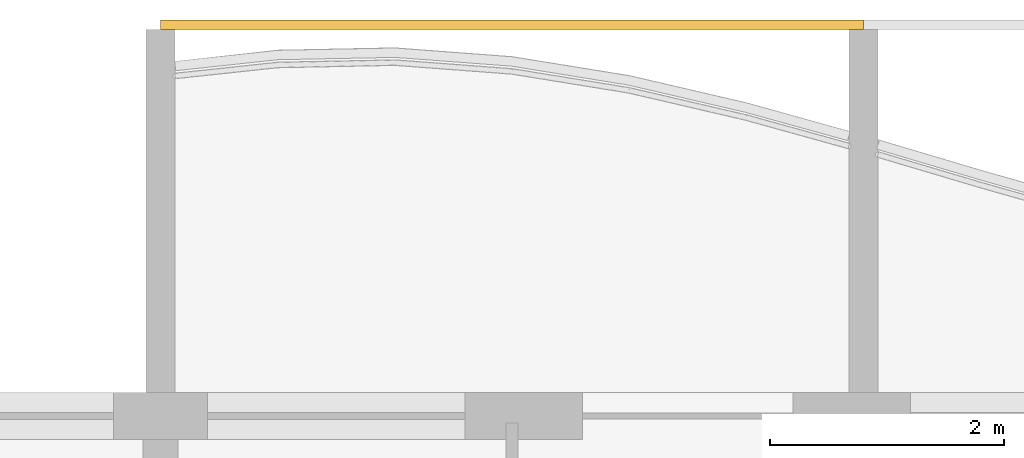
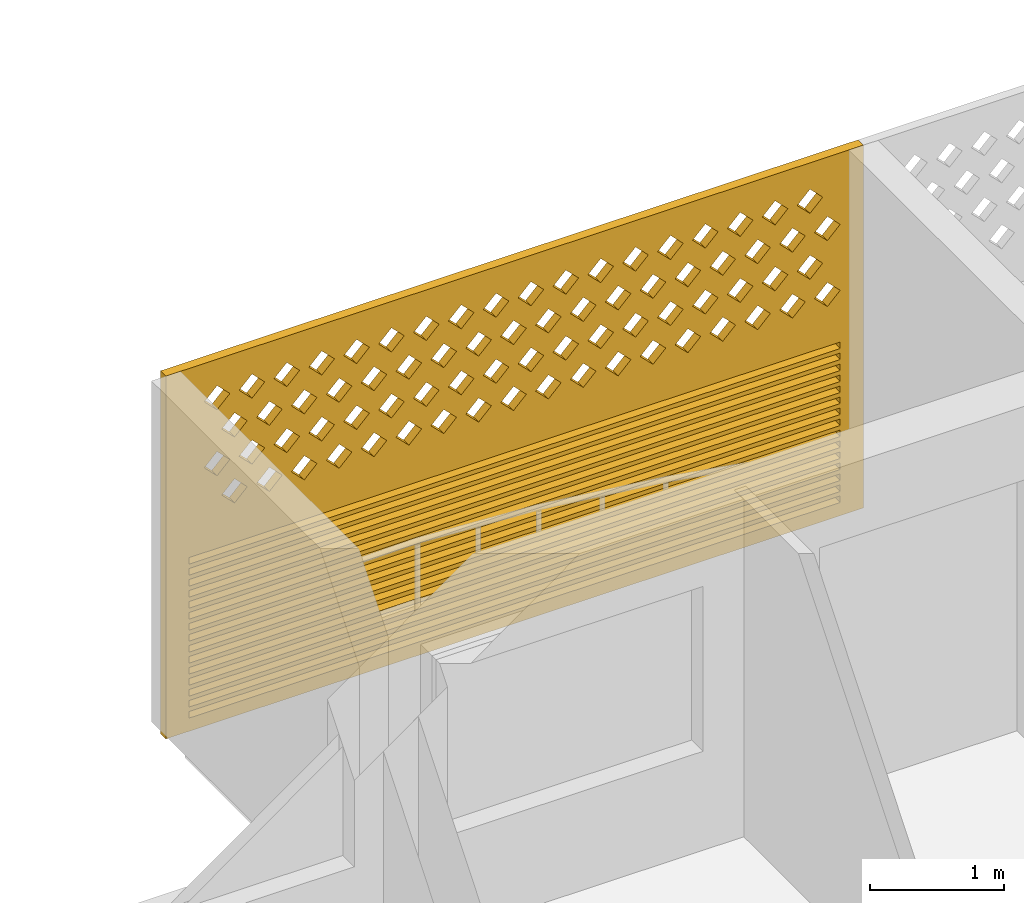
# One storey, part 29 of 33: 1 covering.
"""IFC4 building model written with IfcOpenShell, lengths in metres."""

from ifc_helpers import new_model, si_unit, direction, frame, origin, place, context, subcontext, project, spatial, polyline, outline, extrude, source, transform, mapped, material, material_profile, profile_set, type_object, element, save


model = new_model("IFC4")

# Units and contexts
model_context = context("Model", 3, precision=1e-05, world=origin(), true_north=direction((0.0, 1.0)))
body_context = subcontext(model_context, "Body", "Model", "MODEL_VIEW")
ifc_project = project(units=[si_unit("LENGTHUNIT", "METRE"), si_unit("AREAUNIT", "SQUARE_METRE"), si_unit("VOLUMEUNIT", "CUBIC_METRE"), si_unit("PLANEANGLEUNIT", "RADIAN"), si_unit("MASSUNIT", "GRAM", prefix="KILO")], contexts=[model_context])

# Site, building, storey
site_placement = place(None, origin())
site = spatial("IfcSite", under=ifc_project, at=site_placement, CompositionType="ELEMENT")
building_placement = place(site_placement, origin())
building = spatial("IfcBuilding", under=site, at=building_placement, Name="Poui Terraces", CompositionType="ELEMENT")
storey_placement = place(building_placement, frame((0.0, 0.0, 135.60009765625)))
storey = spatial("IfcBuildingStorey", under=building, at=storey_placement, Name="L37", CompositionType="ELEMENT", Elevation=135.60009765625)

# Covering
ifc_material = material(Name="Terracotta screen", Category="masonry")
ifc_material_profile = material_profile(ifc_material, outline(polyline([(-3.0, -1.64990234375), (3.0, -1.64990234375), (3.0, 1.64990234375), (-3.0, 1.64990234375), (-3.0, -1.64990234375)]), holes=[polyline([(-2.800048828125, 0.39990234375), (-2.68994140625, 0.2900390625), (-2.580078125, 0.39990234375), (-2.68994140625, 0.510009765625), (-2.800048828125, 0.39990234375)]), polyline([(-2.5, 0.39990234375), (-2.389892578125, 0.2900390625), (-2.280029296875, 0.39990234375), (-2.389892578125, 0.510009765625), (-2.5, 0.39990234375)]), polyline([(-2.199951171875, 0.39990234375), (-2.090087890625, 0.2900390625), (-1.97998046875, 0.39990234375), (-2.090087890625, 0.510009765625), (-2.199951171875, 0.39990234375)]), polyline([(-1.89990234375, 0.39990234375), (-1.7900390625, 0.2900390625), (-1.679931640625, 0.39990234375), (-1.7900390625, 0.510009765625), (-1.89990234375, 0.39990234375)]), polyline([(-1.60009765625, 0.39990234375), (-1.489990234375, 0.2900390625), (-1.3798828125, 0.39990234375), (-1.489990234375, 0.510009765625), (-1.60009765625, 0.39990234375)]), polyline([(-1.300048828125, 0.39990234375), (-1.18994140625, 0.2900390625), (-1.080078125, 0.39990234375), (-1.18994140625, 0.510009765625), (-1.300048828125, 0.39990234375)]), polyline([(-1.0, 0.39990234375), (-0.889892578125, 0.2900390625), (-0.780029296875, 0.39990234375), (-0.889892578125, 0.510009765625), (-1.0, 0.39990234375)]), polyline([(-0.699951171875, 0.39990234375), (-0.590087890625, 0.2900390625), (-0.47998046875, 0.39990234375), (-0.590087890625, 0.510009765625), (-0.699951171875, 0.39990234375)]), polyline([(-0.39990234375, 0.39990234375), (-0.2900390625, 0.2900390625), (-0.179931640625, 0.39990234375), (-0.2900390625, 0.510009765625), (-0.39990234375, 0.39990234375)]), polyline([(-0.10009765625, 0.39990234375), (0.010009765625, 0.2900390625), (0.1201171875, 0.39990234375), (0.010009765625, 0.510009765625), (-0.10009765625, 0.39990234375)]), polyline([(0.199951171875, 0.39990234375), (0.31005859375, 0.2900390625), (0.419921875, 0.39990234375), (0.31005859375, 0.510009765625), (0.199951171875, 0.39990234375)]), polyline([(0.5, 0.39990234375), (0.610107421875, 0.2900390625), (0.719970703125, 0.39990234375), (0.610107421875, 0.510009765625), (0.5, 0.39990234375)]), polyline([(0.800048828125, 0.39990234375), (0.909912109375, 0.2900390625), (1.02001953125, 0.39990234375), (0.909912109375, 0.510009765625), (0.800048828125, 0.39990234375)]), polyline([(1.10009765625, 0.39990234375), (1.2099609375, 0.2900390625), (1.320068359375, 0.39990234375), (1.2099609375, 0.510009765625), (1.10009765625, 0.39990234375)]), polyline([(1.39990234375, 0.39990234375), (1.510009765625, 0.2900390625), (1.6201171875, 0.39990234375), (1.510009765625, 0.510009765625), (1.39990234375, 0.39990234375)]), polyline([(1.699951171875, 0.39990234375), (1.81005859375, 0.2900390625), (1.919921875, 0.39990234375), (1.81005859375, 0.510009765625), (1.699951171875, 0.39990234375)]), polyline([(2.0, 0.39990234375), (2.110107421875, 0.2900390625), (2.219970703125, 0.39990234375), (2.110107421875, 0.510009765625), (2.0, 0.39990234375)]), polyline([(2.300048828125, 0.39990234375), (2.409912109375, 0.2900390625), (2.52001953125, 0.39990234375), (2.409912109375, 0.510009765625), (2.300048828125, 0.39990234375)]), polyline([(-2.64990234375, 0.699951171875), (-2.5400390625, 0.590087890625), (-2.429931640625, 0.699951171875), (-2.5400390625, 0.81005859375), (-2.64990234375, 0.699951171875)]), polyline([(-2.35009765625, 0.699951171875), (-2.239990234375, 0.590087890625), (-2.1298828125, 0.699951171875), (-2.239990234375, 0.81005859375), (-2.35009765625, 0.699951171875)]), polyline([(-2.050048828125, 0.699951171875), (-1.93994140625, 0.590087890625), (-1.830078125, 0.699951171875), (-1.93994140625, 0.81005859375), (-2.050048828125, 0.699951171875)]), polyline([(-1.75, 0.699951171875), (-1.639892578125, 0.590087890625), (-1.530029296875, 0.699951171875), (-1.639892578125, 0.81005859375), (-1.75, 0.699951171875)]), polyline([(-1.449951171875, 0.699951171875), (-1.340087890625, 0.590087890625), (-1.22998046875, 0.699951171875), (-1.340087890625, 0.81005859375), (-1.449951171875, 0.699951171875)]), polyline([(-1.14990234375, 0.699951171875), (-1.0400390625, 0.590087890625), (-0.929931640625, 0.699951171875), (-1.0400390625, 0.81005859375), (-1.14990234375, 0.699951171875)]), polyline([(-0.85009765625, 0.699951171875), (-0.739990234375, 0.590087890625), (-0.6298828125, 0.699951171875), (-0.739990234375, 0.81005859375), (-0.85009765625, 0.699951171875)]), polyline([(-0.550048828125, 0.699951171875), (-0.43994140625, 0.590087890625), (-0.330078125, 0.699951171875), (-0.43994140625, 0.81005859375), (-0.550048828125, 0.699951171875)]), polyline([(-0.25, 0.699951171875), (-0.139892578125, 0.590087890625), (-0.030029296875, 0.699951171875), (-0.139892578125, 0.81005859375), (-0.25, 0.699951171875)]), polyline([(0.050048828125, 0.699951171875), (0.159912109375, 0.590087890625), (0.27001953125, 0.699951171875), (0.159912109375, 0.81005859375), (0.050048828125, 0.699951171875)]), polyline([(0.35009765625, 0.699951171875), (0.4599609375, 0.590087890625), (0.570068359375, 0.699951171875), (0.4599609375, 0.81005859375), (0.35009765625, 0.699951171875)]), polyline([(0.64990234375, 0.699951171875), (0.760009765625, 0.590087890625), (0.8701171875, 0.699951171875), (0.760009765625, 0.81005859375), (0.64990234375, 0.699951171875)]), polyline([(0.949951171875, 0.699951171875), (1.06005859375, 0.590087890625), (1.169921875, 0.699951171875), (1.06005859375, 0.81005859375), (0.949951171875, 0.699951171875)]), polyline([(1.25, 0.699951171875), (1.360107421875, 0.590087890625), (1.469970703125, 0.699951171875), (1.360107421875, 0.81005859375), (1.25, 0.699951171875)]), polyline([(1.550048828125, 0.699951171875), (1.659912109375, 0.590087890625), (1.77001953125, 0.699951171875), (1.659912109375, 0.81005859375), (1.550048828125, 0.699951171875)]), polyline([(1.85009765625, 0.699951171875), (1.9599609375, 0.590087890625), (2.070068359375, 0.699951171875), (1.9599609375, 0.81005859375), (1.85009765625, 0.699951171875)]), polyline([(2.14990234375, 0.699951171875), (2.260009765625, 0.590087890625), (2.3701171875, 0.699951171875), (2.260009765625, 0.81005859375), (2.14990234375, 0.699951171875)]), polyline([(2.449951171875, 0.699951171875), (2.56005859375, 0.590087890625), (2.669921875, 0.699951171875), (2.56005859375, 0.81005859375), (2.449951171875, 0.699951171875)]), polyline([(-2.800048828125, 1.0), (-2.68994140625, 0.889892578125), (-2.580078125, 1.0), (-2.68994140625, 1.110107421875), (-2.800048828125, 1.0)]), polyline([(-2.5, 1.0), (-2.389892578125, 0.889892578125), (-2.280029296875, 1.0), (-2.389892578125, 1.110107421875), (-2.5, 1.0)]), polyline([(-2.199951171875, 1.0), (-2.090087890625, 0.889892578125), (-1.97998046875, 1.0), (-2.090087890625, 1.110107421875), (-2.199951171875, 1.0)]), polyline([(-1.89990234375, 1.0), (-1.7900390625, 0.889892578125), (-1.679931640625, 1.0), (-1.7900390625, 1.110107421875), (-1.89990234375, 1.0)]), polyline([(-1.60009765625, 1.0), (-1.489990234375, 0.889892578125), (-1.3798828125, 1.0), (-1.489990234375, 1.110107421875), (-1.60009765625, 1.0)]), polyline([(-1.300048828125, 1.0), (-1.18994140625, 0.889892578125), (-1.080078125, 1.0), (-1.18994140625, 1.110107421875), (-1.300048828125, 1.0)]), polyline([(-1.0, 1.0), (-0.889892578125, 0.889892578125), (-0.780029296875, 1.0), (-0.889892578125, 1.110107421875), (-1.0, 1.0)]), polyline([(-0.699951171875, 1.0), (-0.590087890625, 0.889892578125), (-0.47998046875, 1.0), (-0.590087890625, 1.110107421875), (-0.699951171875, 1.0)]), polyline([(-0.39990234375, 1.0), (-0.2900390625, 0.889892578125), (-0.179931640625, 1.0), (-0.2900390625, 1.110107421875), (-0.39990234375, 1.0)]), polyline([(-0.10009765625, 1.0), (0.010009765625, 0.889892578125), (0.1201171875, 1.0), (0.010009765625, 1.110107421875), (-0.10009765625, 1.0)]), polyline([(0.199951171875, 1.0), (0.31005859375, 0.889892578125), (0.419921875, 1.0), (0.31005859375, 1.110107421875), (0.199951171875, 1.0)]), polyline([(0.5, 1.0), (0.610107421875, 0.889892578125), (0.719970703125, 1.0), (0.610107421875, 1.110107421875), (0.5, 1.0)]), polyline([(0.800048828125, 1.0), (0.909912109375, 0.889892578125), (1.02001953125, 1.0), (0.909912109375, 1.110107421875), (0.800048828125, 1.0)]), polyline([(1.10009765625, 1.0), (1.2099609375, 0.889892578125), (1.320068359375, 1.0), (1.2099609375, 1.110107421875), (1.10009765625, 1.0)]), polyline([(1.39990234375, 1.0), (1.510009765625, 0.889892578125), (1.6201171875, 1.0), (1.510009765625, 1.110107421875), (1.39990234375, 1.0)]), polyline([(1.699951171875, 1.0), (1.81005859375, 0.889892578125), (1.919921875, 1.0), (1.81005859375, 1.110107421875), (1.699951171875, 1.0)]), polyline([(2.0, 1.0), (2.110107421875, 0.889892578125), (2.219970703125, 1.0), (2.110107421875, 1.110107421875), (2.0, 1.0)]), polyline([(2.300048828125, 1.0), (2.409912109375, 0.889892578125), (2.52001953125, 1.0), (2.409912109375, 1.110107421875), (2.300048828125, 1.0)]), polyline([(-2.64990234375, 1.300048828125), (-2.5400390625, 1.18994140625), (-2.429931640625, 1.300048828125), (-2.5400390625, 1.409912109375), (-2.64990234375, 1.300048828125)]), polyline([(-2.35009765625, 1.300048828125), (-2.239990234375, 1.18994140625), (-2.1298828125, 1.300048828125), (-2.239990234375, 1.409912109375), (-2.35009765625, 1.300048828125)]), polyline([(-2.050048828125, 1.300048828125), (-1.93994140625, 1.18994140625), (-1.830078125, 1.300048828125), (-1.93994140625, 1.409912109375), (-2.050048828125, 1.300048828125)]), polyline([(-1.75, 1.300048828125), (-1.639892578125, 1.18994140625), (-1.530029296875, 1.300048828125), (-1.639892578125, 1.409912109375), (-1.75, 1.300048828125)]), polyline([(-1.449951171875, 1.300048828125), (-1.340087890625, 1.18994140625), (-1.22998046875, 1.300048828125), (-1.340087890625, 1.409912109375), (-1.449951171875, 1.300048828125)]), polyline([(-1.14990234375, 1.300048828125), (-1.0400390625, 1.18994140625), (-0.929931640625, 1.300048828125), (-1.0400390625, 1.409912109375), (-1.14990234375, 1.300048828125)]), polyline([(-0.85009765625, 1.300048828125), (-0.739990234375, 1.18994140625), (-0.6298828125, 1.300048828125), (-0.739990234375, 1.409912109375), (-0.85009765625, 1.300048828125)]), polyline([(-0.550048828125, 1.300048828125), (-0.43994140625, 1.18994140625), (-0.330078125, 1.300048828125), (-0.43994140625, 1.409912109375), (-0.550048828125, 1.300048828125)]), polyline([(-0.25, 1.300048828125), (-0.139892578125, 1.18994140625), (-0.030029296875, 1.300048828125), (-0.139892578125, 1.409912109375), (-0.25, 1.300048828125)]), polyline([(0.050048828125, 1.300048828125), (0.159912109375, 1.18994140625), (0.27001953125, 1.300048828125), (0.159912109375, 1.409912109375), (0.050048828125, 1.300048828125)]), polyline([(0.35009765625, 1.300048828125), (0.4599609375, 1.18994140625), (0.570068359375, 1.300048828125), (0.4599609375, 1.409912109375), (0.35009765625, 1.300048828125)]), polyline([(0.64990234375, 1.300048828125), (0.760009765625, 1.18994140625), (0.8701171875, 1.300048828125), (0.760009765625, 1.409912109375), (0.64990234375, 1.300048828125)]), polyline([(0.949951171875, 1.300048828125), (1.06005859375, 1.18994140625), (1.169921875, 1.300048828125), (1.06005859375, 1.409912109375), (0.949951171875, 1.300048828125)]), polyline([(1.25, 1.300048828125), (1.360107421875, 1.18994140625), (1.469970703125, 1.300048828125), (1.360107421875, 1.409912109375), (1.25, 1.300048828125)]), polyline([(1.550048828125, 1.300048828125), (1.659912109375, 1.18994140625), (1.77001953125, 1.300048828125), (1.659912109375, 1.409912109375), (1.550048828125, 1.300048828125)]), polyline([(1.85009765625, 1.300048828125), (1.9599609375, 1.18994140625), (2.070068359375, 1.300048828125), (1.9599609375, 1.409912109375), (1.85009765625, 1.300048828125)]), polyline([(2.14990234375, 1.300048828125), (2.260009765625, 1.18994140625), (2.3701171875, 1.300048828125), (2.260009765625, 1.409912109375), (2.14990234375, 1.300048828125)]), polyline([(2.449951171875, 1.300048828125), (2.56005859375, 1.18994140625), (2.669921875, 1.300048828125), (2.56005859375, 1.409912109375), (2.449951171875, 1.300048828125)]), polyline([(-2.800048828125, -1.530029296875), (2.800048828125, -1.530029296875), (2.800048828125, -1.469970703125), (-2.800048828125, -1.469970703125), (-2.800048828125, -1.530029296875)]), polyline([(-2.800048828125, -1.429931640625), (2.800048828125, -1.429931640625), (2.800048828125, -1.3701171875), (-2.800048828125, -1.3701171875), (-2.800048828125, -1.429931640625)]), polyline([(-2.800048828125, -1.330078125), (2.800048828125, -1.330078125), (2.800048828125, -1.27001953125), (-2.800048828125, -1.27001953125), (-2.800048828125, -1.330078125)]), polyline([(-2.800048828125, -1.22998046875), (2.800048828125, -1.22998046875), (2.800048828125, -1.169921875), (-2.800048828125, -1.169921875), (-2.800048828125, -1.22998046875)]), polyline([(-2.800048828125, -1.1298828125), (2.800048828125, -1.1298828125), (2.800048828125, -1.070068359375), (-2.800048828125, -1.070068359375), (-2.800048828125, -1.1298828125)]), polyline([(-2.800048828125, -1.030029296875), (2.800048828125, -1.030029296875), (2.800048828125, -0.969970703125), (-2.800048828125, -0.969970703125), (-2.800048828125, -1.030029296875)]), polyline([(-2.800048828125, -0.929931640625), (2.800048828125, -0.929931640625), (2.800048828125, -0.8701171875), (-2.800048828125, -0.8701171875), (-2.800048828125, -0.929931640625)]), polyline([(-2.800048828125, -0.830078125), (2.800048828125, -0.830078125), (2.800048828125, -0.77001953125), (-2.800048828125, -0.77001953125), (-2.800048828125, -0.830078125)]), polyline([(-2.800048828125, -0.72998046875), (2.800048828125, -0.72998046875), (2.800048828125, -0.669921875), (-2.800048828125, -0.669921875), (-2.800048828125, -0.72998046875)]), polyline([(-2.800048828125, -0.6298828125), (2.800048828125, -0.6298828125), (2.800048828125, -0.570068359375), (-2.800048828125, -0.570068359375), (-2.800048828125, -0.6298828125)]), polyline([(-2.800048828125, -0.530029296875), (2.800048828125, -0.530029296875), (2.800048828125, -0.469970703125), (-2.800048828125, -0.469970703125), (-2.800048828125, -0.530029296875)]), polyline([(-2.800048828125, -0.429931640625), (2.800048828125, -0.429931640625), (2.800048828125, -0.3701171875), (-2.800048828125, -0.3701171875), (-2.800048828125, -0.429931640625)]), polyline([(-2.800048828125, -0.330078125), (2.800048828125, -0.330078125), (2.800048828125, -0.27001953125), (-2.800048828125, -0.27001953125), (-2.800048828125, -0.330078125)]), polyline([(-2.800048828125, -0.22998046875), (2.800048828125, -0.22998046875), (2.800048828125, -0.169921875), (-2.800048828125, -0.169921875), (-2.800048828125, -0.22998046875)]), polyline([(-2.800048828125, -0.1298828125), (2.800048828125, -0.1298828125), (2.800048828125, -0.070068359375), (-2.800048828125, -0.070068359375), (-2.800048828125, -0.1298828125)])]), Name="TERRACOTTA SCREEN AND JALOUSIE LOUVRE 6000X3300")
ifc_profile_set = profile_set([ifc_material_profile], Name="Terracotta screen")
covering_type = type_object("IfcCoveringType", Name="TERRACOTTA SCREEN AND JALOUSIE LOUVRE 6000X3300", PredefinedType="CLADDING", material=ifc_profile_set)
shared_shape = source(origin(), body_context, "Body", "SweptSolid", [
    extrude(outline(polyline([(-3.0, -1.64990234375), (3.0, -1.64990234375), (3.0, 1.64990234375), (-3.0, 1.64990234375), (-3.0, -1.64990234375)]), holes=[polyline([(-2.800048828125, 0.39990234375), (-2.68994140625, 0.2900390625), (-2.580078125, 0.39990234375), (-2.68994140625, 0.510009765625), (-2.800048828125, 0.39990234375)]), polyline([(-2.5, 0.39990234375), (-2.389892578125, 0.2900390625), (-2.280029296875, 0.39990234375), (-2.389892578125, 0.510009765625), (-2.5, 0.39990234375)]), polyline([(-2.199951171875, 0.39990234375), (-2.090087890625, 0.2900390625), (-1.97998046875, 0.39990234375), (-2.090087890625, 0.510009765625), (-2.199951171875, 0.39990234375)]), polyline([(-1.89990234375, 0.39990234375), (-1.7900390625, 0.2900390625), (-1.679931640625, 0.39990234375), (-1.7900390625, 0.510009765625), (-1.89990234375, 0.39990234375)]), polyline([(-1.60009765625, 0.39990234375), (-1.489990234375, 0.2900390625), (-1.3798828125, 0.39990234375), (-1.489990234375, 0.510009765625), (-1.60009765625, 0.39990234375)]), polyline([(-1.300048828125, 0.39990234375), (-1.18994140625, 0.2900390625), (-1.080078125, 0.39990234375), (-1.18994140625, 0.510009765625), (-1.300048828125, 0.39990234375)]), polyline([(-1.0, 0.39990234375), (-0.889892578125, 0.2900390625), (-0.780029296875, 0.39990234375), (-0.889892578125, 0.510009765625), (-1.0, 0.39990234375)]), polyline([(-0.699951171875, 0.39990234375), (-0.590087890625, 0.2900390625), (-0.47998046875, 0.39990234375), (-0.590087890625, 0.510009765625), (-0.699951171875, 0.39990234375)]), polyline([(-0.39990234375, 0.39990234375), (-0.2900390625, 0.2900390625), (-0.179931640625, 0.39990234375), (-0.2900390625, 0.510009765625), (-0.39990234375, 0.39990234375)]), polyline([(-0.10009765625, 0.39990234375), (0.010009765625, 0.2900390625), (0.1201171875, 0.39990234375), (0.010009765625, 0.510009765625), (-0.10009765625, 0.39990234375)]), polyline([(0.199951171875, 0.39990234375), (0.31005859375, 0.2900390625), (0.419921875, 0.39990234375), (0.31005859375, 0.510009765625), (0.199951171875, 0.39990234375)]), polyline([(0.5, 0.39990234375), (0.610107421875, 0.2900390625), (0.719970703125, 0.39990234375), (0.610107421875, 0.510009765625), (0.5, 0.39990234375)]), polyline([(0.800048828125, 0.39990234375), (0.909912109375, 0.2900390625), (1.02001953125, 0.39990234375), (0.909912109375, 0.510009765625), (0.800048828125, 0.39990234375)]), polyline([(1.10009765625, 0.39990234375), (1.2099609375, 0.2900390625), (1.320068359375, 0.39990234375), (1.2099609375, 0.510009765625), (1.10009765625, 0.39990234375)]), polyline([(1.39990234375, 0.39990234375), (1.510009765625, 0.2900390625), (1.6201171875, 0.39990234375), (1.510009765625, 0.510009765625), (1.39990234375, 0.39990234375)]), polyline([(1.699951171875, 0.39990234375), (1.81005859375, 0.2900390625), (1.919921875, 0.39990234375), (1.81005859375, 0.510009765625), (1.699951171875, 0.39990234375)]), polyline([(2.0, 0.39990234375), (2.110107421875, 0.2900390625), (2.219970703125, 0.39990234375), (2.110107421875, 0.510009765625), (2.0, 0.39990234375)]), polyline([(2.300048828125, 0.39990234375), (2.409912109375, 0.2900390625), (2.52001953125, 0.39990234375), (2.409912109375, 0.510009765625), (2.300048828125, 0.39990234375)]), polyline([(-2.64990234375, 0.699951171875), (-2.5400390625, 0.590087890625), (-2.429931640625, 0.699951171875), (-2.5400390625, 0.81005859375), (-2.64990234375, 0.699951171875)]), polyline([(-2.35009765625, 0.699951171875), (-2.239990234375, 0.590087890625), (-2.1298828125, 0.699951171875), (-2.239990234375, 0.81005859375), (-2.35009765625, 0.699951171875)]), polyline([(-2.050048828125, 0.699951171875), (-1.93994140625, 0.590087890625), (-1.830078125, 0.699951171875), (-1.93994140625, 0.81005859375), (-2.050048828125, 0.699951171875)]), polyline([(-1.75, 0.699951171875), (-1.639892578125, 0.590087890625), (-1.530029296875, 0.699951171875), (-1.639892578125, 0.81005859375), (-1.75, 0.699951171875)]), polyline([(-1.449951171875, 0.699951171875), (-1.340087890625, 0.590087890625), (-1.22998046875, 0.699951171875), (-1.340087890625, 0.81005859375), (-1.449951171875, 0.699951171875)]), polyline([(-1.14990234375, 0.699951171875), (-1.0400390625, 0.590087890625), (-0.929931640625, 0.699951171875), (-1.0400390625, 0.81005859375), (-1.14990234375, 0.699951171875)]), polyline([(-0.85009765625, 0.699951171875), (-0.739990234375, 0.590087890625), (-0.6298828125, 0.699951171875), (-0.739990234375, 0.81005859375), (-0.85009765625, 0.699951171875)]), polyline([(-0.550048828125, 0.699951171875), (-0.43994140625, 0.590087890625), (-0.330078125, 0.699951171875), (-0.43994140625, 0.81005859375), (-0.550048828125, 0.699951171875)]), polyline([(-0.25, 0.699951171875), (-0.139892578125, 0.590087890625), (-0.030029296875, 0.699951171875), (-0.139892578125, 0.81005859375), (-0.25, 0.699951171875)]), polyline([(0.050048828125, 0.699951171875), (0.159912109375, 0.590087890625), (0.27001953125, 0.699951171875), (0.159912109375, 0.81005859375), (0.050048828125, 0.699951171875)]), polyline([(0.35009765625, 0.699951171875), (0.4599609375, 0.590087890625), (0.570068359375, 0.699951171875), (0.4599609375, 0.81005859375), (0.35009765625, 0.699951171875)]), polyline([(0.64990234375, 0.699951171875), (0.760009765625, 0.590087890625), (0.8701171875, 0.699951171875), (0.760009765625, 0.81005859375), (0.64990234375, 0.699951171875)]), polyline([(0.949951171875, 0.699951171875), (1.06005859375, 0.590087890625), (1.169921875, 0.699951171875), (1.06005859375, 0.81005859375), (0.949951171875, 0.699951171875)]), polyline([(1.25, 0.699951171875), (1.360107421875, 0.590087890625), (1.469970703125, 0.699951171875), (1.360107421875, 0.81005859375), (1.25, 0.699951171875)]), polyline([(1.550048828125, 0.699951171875), (1.659912109375, 0.590087890625), (1.77001953125, 0.699951171875), (1.659912109375, 0.81005859375), (1.550048828125, 0.699951171875)]), polyline([(1.85009765625, 0.699951171875), (1.9599609375, 0.590087890625), (2.070068359375, 0.699951171875), (1.9599609375, 0.81005859375), (1.85009765625, 0.699951171875)]), polyline([(2.14990234375, 0.699951171875), (2.260009765625, 0.590087890625), (2.3701171875, 0.699951171875), (2.260009765625, 0.81005859375), (2.14990234375, 0.699951171875)]), polyline([(2.449951171875, 0.699951171875), (2.56005859375, 0.590087890625), (2.669921875, 0.699951171875), (2.56005859375, 0.81005859375), (2.449951171875, 0.699951171875)]), polyline([(-2.800048828125, 1.0), (-2.68994140625, 0.889892578125), (-2.580078125, 1.0), (-2.68994140625, 1.110107421875), (-2.800048828125, 1.0)]), polyline([(-2.5, 1.0), (-2.389892578125, 0.889892578125), (-2.280029296875, 1.0), (-2.389892578125, 1.110107421875), (-2.5, 1.0)]), polyline([(-2.199951171875, 1.0), (-2.090087890625, 0.889892578125), (-1.97998046875, 1.0), (-2.090087890625, 1.110107421875), (-2.199951171875, 1.0)]), polyline([(-1.89990234375, 1.0), (-1.7900390625, 0.889892578125), (-1.679931640625, 1.0), (-1.7900390625, 1.110107421875), (-1.89990234375, 1.0)]), polyline([(-1.60009765625, 1.0), (-1.489990234375, 0.889892578125), (-1.3798828125, 1.0), (-1.489990234375, 1.110107421875), (-1.60009765625, 1.0)]), polyline([(-1.300048828125, 1.0), (-1.18994140625, 0.889892578125), (-1.080078125, 1.0), (-1.18994140625, 1.110107421875), (-1.300048828125, 1.0)]), polyline([(-1.0, 1.0), (-0.889892578125, 0.889892578125), (-0.780029296875, 1.0), (-0.889892578125, 1.110107421875), (-1.0, 1.0)]), polyline([(-0.699951171875, 1.0), (-0.590087890625, 0.889892578125), (-0.47998046875, 1.0), (-0.590087890625, 1.110107421875), (-0.699951171875, 1.0)]), polyline([(-0.39990234375, 1.0), (-0.2900390625, 0.889892578125), (-0.179931640625, 1.0), (-0.2900390625, 1.110107421875), (-0.39990234375, 1.0)]), polyline([(-0.10009765625, 1.0), (0.010009765625, 0.889892578125), (0.1201171875, 1.0), (0.010009765625, 1.110107421875), (-0.10009765625, 1.0)]), polyline([(0.199951171875, 1.0), (0.31005859375, 0.889892578125), (0.419921875, 1.0), (0.31005859375, 1.110107421875), (0.199951171875, 1.0)]), polyline([(0.5, 1.0), (0.610107421875, 0.889892578125), (0.719970703125, 1.0), (0.610107421875, 1.110107421875), (0.5, 1.0)]), polyline([(0.800048828125, 1.0), (0.909912109375, 0.889892578125), (1.02001953125, 1.0), (0.909912109375, 1.110107421875), (0.800048828125, 1.0)]), polyline([(1.10009765625, 1.0), (1.2099609375, 0.889892578125), (1.320068359375, 1.0), (1.2099609375, 1.110107421875), (1.10009765625, 1.0)]), polyline([(1.39990234375, 1.0), (1.510009765625, 0.889892578125), (1.6201171875, 1.0), (1.510009765625, 1.110107421875), (1.39990234375, 1.0)]), polyline([(1.699951171875, 1.0), (1.81005859375, 0.889892578125), (1.919921875, 1.0), (1.81005859375, 1.110107421875), (1.699951171875, 1.0)]), polyline([(2.0, 1.0), (2.110107421875, 0.889892578125), (2.219970703125, 1.0), (2.110107421875, 1.110107421875), (2.0, 1.0)]), polyline([(2.300048828125, 1.0), (2.409912109375, 0.889892578125), (2.52001953125, 1.0), (2.409912109375, 1.110107421875), (2.300048828125, 1.0)]), polyline([(-2.64990234375, 1.300048828125), (-2.5400390625, 1.18994140625), (-2.429931640625, 1.300048828125), (-2.5400390625, 1.409912109375), (-2.64990234375, 1.300048828125)]), polyline([(-2.35009765625, 1.300048828125), (-2.239990234375, 1.18994140625), (-2.1298828125, 1.300048828125), (-2.239990234375, 1.409912109375), (-2.35009765625, 1.300048828125)]), polyline([(-2.050048828125, 1.300048828125), (-1.93994140625, 1.18994140625), (-1.830078125, 1.300048828125), (-1.93994140625, 1.409912109375), (-2.050048828125, 1.300048828125)]), polyline([(-1.75, 1.300048828125), (-1.639892578125, 1.18994140625), (-1.530029296875, 1.300048828125), (-1.639892578125, 1.409912109375), (-1.75, 1.300048828125)]), polyline([(-1.449951171875, 1.300048828125), (-1.340087890625, 1.18994140625), (-1.22998046875, 1.300048828125), (-1.340087890625, 1.409912109375), (-1.449951171875, 1.300048828125)]), polyline([(-1.14990234375, 1.300048828125), (-1.0400390625, 1.18994140625), (-0.929931640625, 1.300048828125), (-1.0400390625, 1.409912109375), (-1.14990234375, 1.300048828125)]), polyline([(-0.85009765625, 1.300048828125), (-0.739990234375, 1.18994140625), (-0.6298828125, 1.300048828125), (-0.739990234375, 1.409912109375), (-0.85009765625, 1.300048828125)]), polyline([(-0.550048828125, 1.300048828125), (-0.43994140625, 1.18994140625), (-0.330078125, 1.300048828125), (-0.43994140625, 1.409912109375), (-0.550048828125, 1.300048828125)]), polyline([(-0.25, 1.300048828125), (-0.139892578125, 1.18994140625), (-0.030029296875, 1.300048828125), (-0.139892578125, 1.409912109375), (-0.25, 1.300048828125)]), polyline([(0.050048828125, 1.300048828125), (0.159912109375, 1.18994140625), (0.27001953125, 1.300048828125), (0.159912109375, 1.409912109375), (0.050048828125, 1.300048828125)]), polyline([(0.35009765625, 1.300048828125), (0.4599609375, 1.18994140625), (0.570068359375, 1.300048828125), (0.4599609375, 1.409912109375), (0.35009765625, 1.300048828125)]), polyline([(0.64990234375, 1.300048828125), (0.760009765625, 1.18994140625), (0.8701171875, 1.300048828125), (0.760009765625, 1.409912109375), (0.64990234375, 1.300048828125)]), polyline([(0.949951171875, 1.300048828125), (1.06005859375, 1.18994140625), (1.169921875, 1.300048828125), (1.06005859375, 1.409912109375), (0.949951171875, 1.300048828125)]), polyline([(1.25, 1.300048828125), (1.360107421875, 1.18994140625), (1.469970703125, 1.300048828125), (1.360107421875, 1.409912109375), (1.25, 1.300048828125)]), polyline([(1.550048828125, 1.300048828125), (1.659912109375, 1.18994140625), (1.77001953125, 1.300048828125), (1.659912109375, 1.409912109375), (1.550048828125, 1.300048828125)]), polyline([(1.85009765625, 1.300048828125), (1.9599609375, 1.18994140625), (2.070068359375, 1.300048828125), (1.9599609375, 1.409912109375), (1.85009765625, 1.300048828125)]), polyline([(2.14990234375, 1.300048828125), (2.260009765625, 1.18994140625), (2.3701171875, 1.300048828125), (2.260009765625, 1.409912109375), (2.14990234375, 1.300048828125)]), polyline([(2.449951171875, 1.300048828125), (2.56005859375, 1.18994140625), (2.669921875, 1.300048828125), (2.56005859375, 1.409912109375), (2.449951171875, 1.300048828125)]), polyline([(-2.800048828125, -1.530029296875), (2.800048828125, -1.530029296875), (2.800048828125, -1.469970703125), (-2.800048828125, -1.469970703125), (-2.800048828125, -1.530029296875)]), polyline([(-2.800048828125, -1.429931640625), (2.800048828125, -1.429931640625), (2.800048828125, -1.3701171875), (-2.800048828125, -1.3701171875), (-2.800048828125, -1.429931640625)]), polyline([(-2.800048828125, -1.330078125), (2.800048828125, -1.330078125), (2.800048828125, -1.27001953125), (-2.800048828125, -1.27001953125), (-2.800048828125, -1.330078125)]), polyline([(-2.800048828125, -1.22998046875), (2.800048828125, -1.22998046875), (2.800048828125, -1.169921875), (-2.800048828125, -1.169921875), (-2.800048828125, -1.22998046875)]), polyline([(-2.800048828125, -1.1298828125), (2.800048828125, -1.1298828125), (2.800048828125, -1.070068359375), (-2.800048828125, -1.070068359375), (-2.800048828125, -1.1298828125)]), polyline([(-2.800048828125, -1.030029296875), (2.800048828125, -1.030029296875), (2.800048828125, -0.969970703125), (-2.800048828125, -0.969970703125), (-2.800048828125, -1.030029296875)]), polyline([(-2.800048828125, -0.929931640625), (2.800048828125, -0.929931640625), (2.800048828125, -0.8701171875), (-2.800048828125, -0.8701171875), (-2.800048828125, -0.929931640625)]), polyline([(-2.800048828125, -0.830078125), (2.800048828125, -0.830078125), (2.800048828125, -0.77001953125), (-2.800048828125, -0.77001953125), (-2.800048828125, -0.830078125)]), polyline([(-2.800048828125, -0.72998046875), (2.800048828125, -0.72998046875), (2.800048828125, -0.669921875), (-2.800048828125, -0.669921875), (-2.800048828125, -0.72998046875)]), polyline([(-2.800048828125, -0.6298828125), (2.800048828125, -0.6298828125), (2.800048828125, -0.570068359375), (-2.800048828125, -0.570068359375), (-2.800048828125, -0.6298828125)]), polyline([(-2.800048828125, -0.530029296875), (2.800048828125, -0.530029296875), (2.800048828125, -0.469970703125), (-2.800048828125, -0.469970703125), (-2.800048828125, -0.530029296875)]), polyline([(-2.800048828125, -0.429931640625), (2.800048828125, -0.429931640625), (2.800048828125, -0.3701171875), (-2.800048828125, -0.3701171875), (-2.800048828125, -0.429931640625)]), polyline([(-2.800048828125, -0.330078125), (2.800048828125, -0.330078125), (2.800048828125, -0.27001953125), (-2.800048828125, -0.27001953125), (-2.800048828125, -0.330078125)]), polyline([(-2.800048828125, -0.22998046875), (2.800048828125, -0.22998046875), (2.800048828125, -0.169921875), (-2.800048828125, -0.169921875), (-2.800048828125, -0.22998046875)]), polyline([(-2.800048828125, -0.1298828125), (2.800048828125, -0.1298828125), (2.800048828125, -0.070068359375), (-2.800048828125, -0.070068359375), (-2.800048828125, -0.1298828125)])]), origin(), (0.0, 0.0, 1.0), 0.080078125),
])
covering_placement = place(storey_placement, frame((69.0, 45.699951171875, 1.449951171875), z_axis=(0.0, 1.0, 0.0), x_axis=(-1.0, 0.0, 0.0)))
element("IfcCovering", 1, at=covering_placement, inside=storey, type_object=covering_type, Name="SOLAR SCREEN AND JALOUSIE LOUVRE", PredefinedType="CLADDING", context=body_context, shape_type="MappedRepresentation", body=[
    mapped(shared_shape, transform((0.0, 0.0, 0.0))),
])

save(model, "model.ifc")
